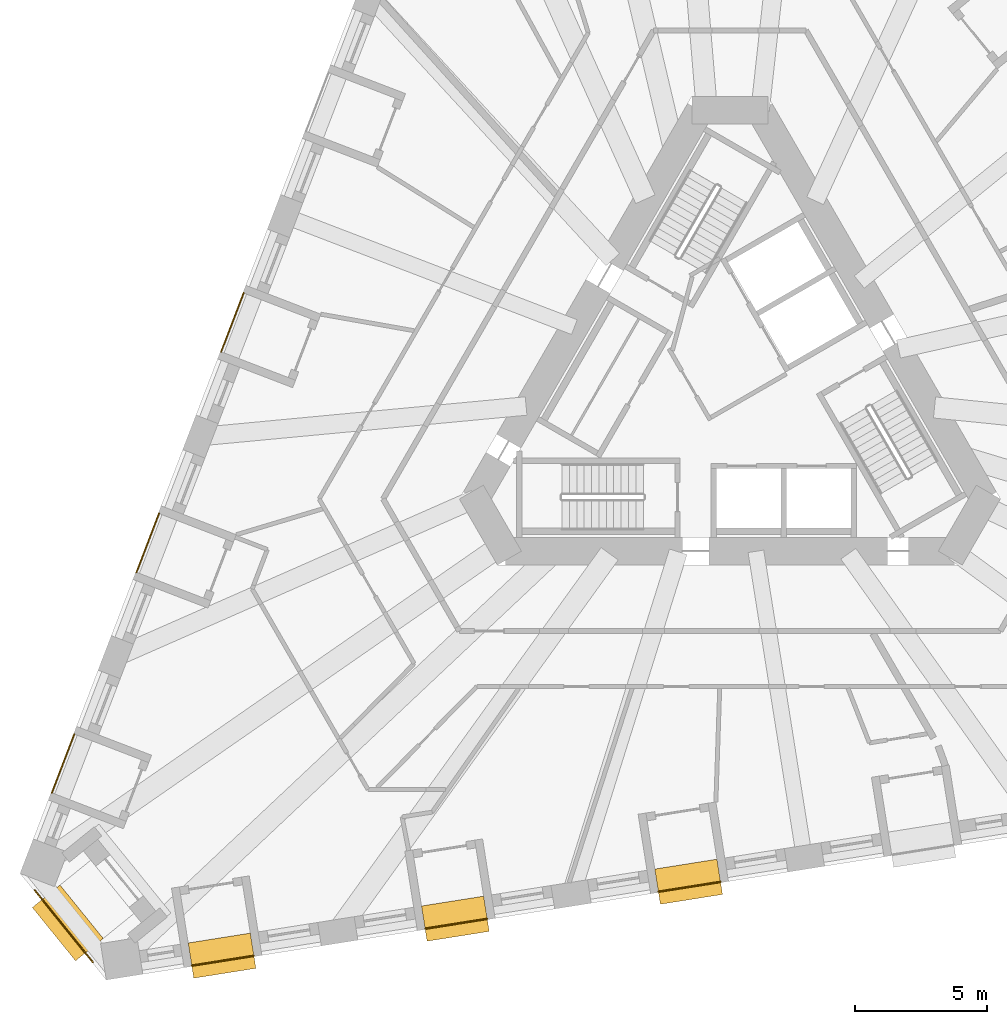
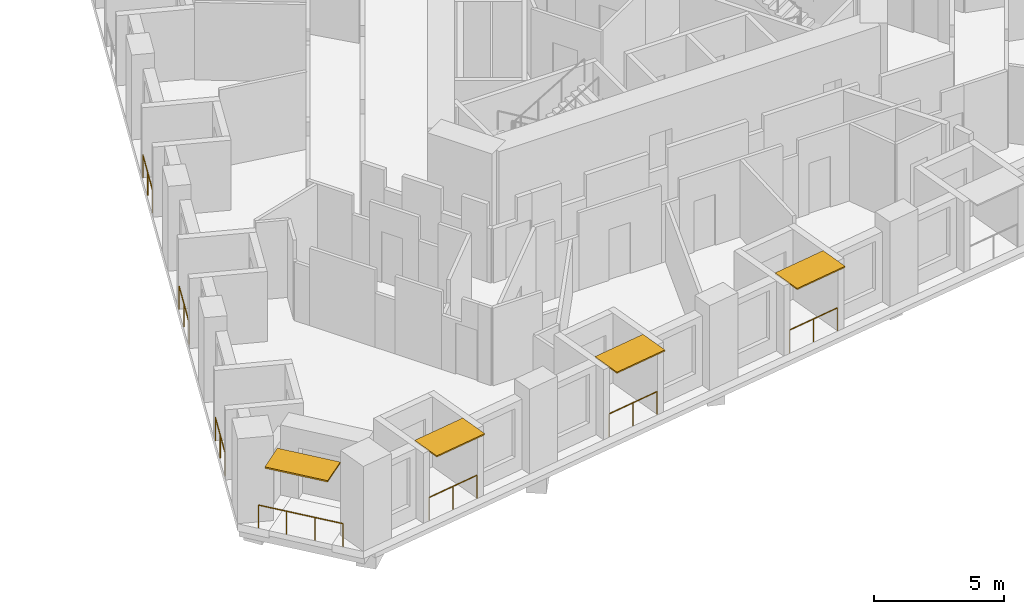
# One storey, part 11 of 14: 7 railings, 4 shading devices.
"""IFC4 building model written with IfcOpenShell, lengths in metres."""

import ifcopenshell
import ifcopenshell.guid

model = None  # the IFC model being written
_history = None  # IfcOwnerHistory: only IFC2X3 demands one
_inside = {}  # id of a spatial element -> (the spatial element, [elements in it])
_under = {}  # id of a project, library or spatial element -> (it, [spatial elements below it])
_declared = {}  # id of a project -> (the project, [libraries it declares])
_typed = {}  # id of a type object -> (the type object, [elements of that type])
_made_of = {}  # id of a material, layer set ... -> (it, [elements and type objects made of it])


def new_model(schema):
    """Start an empty IFC model of exactly this schema.

    Asked for "IFC4X3", IfcOpenShell would pick the latest addendum, in which some entities
    have other attributes; the version numbers below select the first issue.
    IFC2X3 requires an IfcOwnerHistory on every rooted entity: one is made here for all.
    """
    global model, _history
    if schema == "IFC4X3":
        model = ifcopenshell.file(schema_version=(4, 3, 0, 0))
    else:
        model = ifcopenshell.file(schema=schema)
    _inside.clear()
    _under.clear()
    _declared.clear()
    _typed.clear()
    _made_of.clear()
    _history = None
    if model.schema == "IFC2X3":
        org = make("IfcOrganization", Name="unknown")
        user = make(
            "IfcPersonAndOrganization",
            ThePerson=make("IfcPerson", FamilyName="unknown"),
            TheOrganization=org,
        )
        app = make(
            "IfcApplication",
            ApplicationDeveloper=org,
            Version="unknown",
            ApplicationFullName="unknown",
            ApplicationIdentifier="unknown",
        )
        _history = make(
            "IfcOwnerHistory",
            OwningUser=user,
            OwningApplication=app,
            ChangeAction="ADDED",
            CreationDate=0,
        )
    return model


def make(cls, **values):
    """One entity of the class cls with the attributes given. An attribute that is None is left unset."""
    return model.create_entity(
        cls, **{name: value for name, value in values.items() if value is not None}
    )


def rooted(cls, **values):
    """An entity with a GlobalId (a new one), such as an element, a storey or a relation."""
    return make(cls, GlobalId=ifcopenshell.guid.new(), OwnerHistory=_history, **values)


def si_unit(unit_type, name, prefix=None):
    """IfcSIUnit, for example si_unit("LENGTHUNIT", "METRE", prefix="MILLI")."""
    return make("IfcSIUnit", UnitType=unit_type, Prefix=prefix, Name=name)


def assignment(units):
    """IfcUnitAssignment: the units of a project."""
    return None if units is None else make("IfcUnitAssignment", Units=units)


def point(xyz):
    """IfcCartesianPoint."""
    return None if xyz is None else make("IfcCartesianPoint", Coordinates=xyz)


def direction(xyz):
    """IfcDirection."""
    return None if xyz is None else make("IfcDirection", DirectionRatios=xyz)


def frame(location, z_axis=None, x_axis=None):
    """IfcAxis2Placement3D, a coordinate frame: its origin and axes. An axis left out is left unset."""
    return make(
        "IfcAxis2Placement3D",
        Location=point(location),
        Axis=direction(z_axis),
        RefDirection=direction(x_axis),
    )


def frame_2d(location, x_axis=None):
    """IfcAxis2Placement2D, a coordinate frame in the plane: its origin and x axis."""
    return make(
        "IfcAxis2Placement2D", Location=point(location), RefDirection=direction(x_axis)
    )


def origin():
    """The frame at (0, 0, 0) with its axes left unset."""
    return frame((0.0, 0.0, 0.0))


def origin_2d():
    """The frame at (0, 0) in the plane with its x axis left unset."""
    return frame_2d((0.0, 0.0))


def place(relative_to, where):
    """IfcLocalPlacement: puts the frame where relative to a parent placement (None: the world)."""
    return make(
        "IfcLocalPlacement", PlacementRelTo=relative_to, RelativePlacement=where
    )


def context(
    kind, dimensions, precision=None, world=None, true_north=None, identifier=None
):
    """IfcGeometricRepresentationContext, for example the 3D "Model" context."""
    return make(
        "IfcGeometricRepresentationContext",
        ContextIdentifier=identifier,
        ContextType=kind,
        CoordinateSpaceDimension=dimensions,
        Precision=precision,
        WorldCoordinateSystem=world,
        TrueNorth=true_north,
    )


def subcontext(parent, identifier, kind, view, scale=None):
    """IfcGeometricRepresentationSubContext, for example "Body" below "Model"."""
    return make(
        "IfcGeometricRepresentationSubContext",
        ContextIdentifier=identifier,
        ContextType=kind,
        ParentContext=parent,
        TargetScale=scale,
        TargetView=view,
    )


def project(units=None, contexts=None):
    """IfcProject with its units and contexts."""
    return rooted(
        "IfcProject",
        Name="project",
        RepresentationContexts=contexts,
        UnitsInContext=assignment(units),
    )


def spatial(cls, under=None, at=None, **own):
    """A site, building, storey or space (cls), placed at a placement, below another one or the project."""
    s = rooted(cls, ObjectPlacement=at, **own)
    if under is not None:
        _under.setdefault(under.id(), (under, []))[1].append(s)
    return s


def profile(cls, at=None, kind="AREA", **sizes):
    """A parametric profile (cls). Its sizes go by their IFC names, for example OverallWidth=200.0."""
    return make(cls, ProfileType=kind, Position=at, **sizes)


def rectangle(**sizes):
    """IfcRectangleProfileDef."""
    return profile("IfcRectangleProfileDef", **sizes)


def circle(**sizes):
    """IfcCircleProfileDef."""
    return profile("IfcCircleProfileDef", **sizes)


def extrude(swept, where, along, depth):
    """IfcExtrudedAreaSolid: the profile swept, set in the frame where, extruded along a direction by depth."""
    return make(
        "IfcExtrudedAreaSolid",
        SweptArea=swept,
        Position=where,
        ExtrudedDirection=direction(along),
        Depth=depth,
    )


def shape(context_of_items, identifier, shape_type, items):
    """IfcShapeRepresentation: the items that make up one representation, for example the "Body"."""
    return make(
        "IfcShapeRepresentation",
        ContextOfItems=context_of_items,
        RepresentationIdentifier=identifier,
        RepresentationType=shape_type,
        Items=items,
    )


def material(Name=None, Category=None):
    """IfcMaterial."""
    return make("IfcMaterial", Name=Name, Category=Category)


def layer(
    of_material, thickness, ventilated=None, Name=None, Category=None, Priority=None
):
    """IfcMaterialLayer: one layer of a wall or slab, of a material (None: an air gap)."""
    return make(
        "IfcMaterialLayer",
        Material=of_material,
        LayerThickness=thickness,
        IsVentilated=ventilated,
        Name=Name,
        Category=Category,
        Priority=Priority,
    )


def layer_set(layers, Name=None):
    """IfcMaterialLayerSet."""
    return make("IfcMaterialLayerSet", MaterialLayers=layers, LayerSetName=Name)


def made_of(thing, what):
    """Note that an element or type object is made of a material, layer set ...; save() writes the relation."""
    if what is not None:
        _made_of.setdefault(what.id(), (what, []))[1].append(thing)
    return thing


def type_object(cls, material=None, **own):
    """A type object (cls), such as IfcWallType, which elements share."""
    return made_of(rooted(cls, **own), material)


def element(
    cls,
    number,
    at=None,
    inside=None,
    cuts=None,
    type_object=None,
    material=None,
    context=None,
    identifier="Body",
    shape_type=None,
    held_by="IfcProductDefinitionShape",
    body=None,
    shapes=None,
    **own,
):
    """One element of the class cls, such as IfcWall. Its Tag is "e" and its number.

    at: its placement. inside: the storey or other place that contains it. cuts: it is an
    opening in that element (IfcRelVoidsElement). A single representation is given by context,
    identifier, shape_type and body (its items); several are given by shapes. held_by: the class
    of the entity that holds the representations. save() writes the other relations.
    """
    e = rooted(cls, Tag="e%d" % number, ObjectPlacement=at, **own)
    if body is not None:
        shapes = [shape(context, identifier, shape_type, body)]
    if shapes is not None:
        e.Representation = make(held_by, Representations=shapes)
    if inside is not None:
        _inside.setdefault(inside.id(), (inside, []))[1].append(e)
    if cuts is not None:
        rooted(
            "IfcRelVoidsElement", RelatingBuildingElement=cuts, RelatedOpeningElement=e
        )
    if type_object is not None:
        _typed.setdefault(type_object.id(), (type_object, []))[1].append(e)
    return made_of(e, material)


def aggregate(whole, parts):
    """IfcRelAggregates: a whole, such as a stair, and the parts it consists of."""
    return rooted("IfcRelAggregates", RelatingObject=whole, RelatedObjects=parts)


def save(model, path):
    """Write the relations noted so far, then the file.

    IfcRelAggregates (storeys below a building ...), IfcRelContainedInSpatialStructure (elements
    in a storey), IfcRelDefinesByType, IfcRelAssociatesMaterial and IfcRelDeclares: one each for
    every whole, place, type object, material and project.
    """
    for whole, parts in _under.values():
        aggregate(whole, parts)
    for where, things in _inside.values():
        rooted(
            "IfcRelContainedInSpatialStructure",
            RelatedElements=things,
            RelatingStructure=where,
        )
    for kind, things in _typed.values():
        rooted("IfcRelDefinesByType", RelatedObjects=things, RelatingType=kind)
    for what, things in _made_of.values():
        rooted("IfcRelAssociatesMaterial", RelatedObjects=things, RelatingMaterial=what)
    for by, libraries in _declared.values():
        rooted("IfcRelDeclares", RelatingContext=by, RelatedDefinitions=libraries)
    model.write(path)


model = new_model("IFC4")

# Units and contexts
model_context = context("Model", 3, precision=1e-05, world=origin(), true_north=direction((0.0, 1.0)))
body_context = subcontext(model_context, "Body", "Model", "MODEL_VIEW")
ifc_project = project(units=[si_unit("LENGTHUNIT", "METRE"), si_unit("AREAUNIT", "SQUARE_METRE"), si_unit("VOLUMEUNIT", "CUBIC_METRE"), si_unit("PLANEANGLEUNIT", "RADIAN"), si_unit("MASSUNIT", "GRAM", prefix="KILO")], contexts=[model_context])

# Site, building, storey
site_placement = place(None, origin())
site = spatial("IfcSite", under=ifc_project, at=site_placement, CompositionType="ELEMENT")
building_placement = place(site_placement, origin())
building = spatial("IfcBuilding", under=site, at=building_placement, Name="Tramontana Tower", CompositionType="ELEMENT")
storey_placement = place(building_placement, frame((0.0, 0.0, 75.199951171875)))
storey = spatial("IfcBuildingStorey", under=building, at=storey_placement, Name="L16", CompositionType="ELEMENT", Elevation=75.199951171875)

# Railings
ifc_material_1 = material(Name="Laminated glass balustrade", Category="glass")
railing_type = type_object("IfcRailingType", Name="GD1 Loggia glass balustrade 1100", PredefinedType="BALUSTRADE", material=ifc_material_1)
for number, where, name in (
    (1, (-18.419677734375, 3.55419921875, 0.0), "Loggia balustrade L16 G1S0.10"),
    (2, (-21.626708984375, -4.80029296875, 0.0), "Loggia balustrade L16 G1S0.13"),
):
    element("IfcRailing", number, at=place(storey_placement, frame(where)), inside=storey, type_object=railing_type, Name=name, PredefinedType="BALUSTRADE", context=body_context, shape_type="SweptSolid", body=[
        extrude(circle(Radius=0.02392578125, at=origin_2d()), frame((0.0, 0.0, 1.076171875), z_axis=(-0.358354292693, -0.933585668757, 0.0), x_axis=(0.933585668757, -0.358354292693, 0.0)), (0.0, 0.0, 1.0), 2.383056640625),
        extrude(circle(Radius=0.02099609375, at=origin_2d()), origin(), (0.0, 0.0, 1.0), 1.052001953125),
        extrude(circle(Radius=0.02099609375, at=origin_2d()), frame((-0.427001953125, -1.1123046875, 0.0)), (0.0, 0.0, 1.0), 1.052001953125),
        extrude(circle(Radius=0.02099609375, at=origin_2d()), frame((-0.85400390625, -2.224853515625, 0.0)), (0.0, 0.0, 1.0), 1.052001953125),
    ])
railing_1_placement = place(storey_placement, frame((-24.833740234375, -13.155029296875, 0.0)))
element("IfcRailing", 3, at=railing_1_placement, inside=storey, type_object=railing_type, Name="Loggia balustrade L16 G1S0.16", PredefinedType="BALUSTRADE", context=body_context, shape_type="SweptSolid", body=[
    extrude(circle(Radius=0.02392578125, at=origin_2d()), frame((0.0, 0.0, 1.076171875), z_axis=(-0.35838856932, -0.933572511046, 0.0), x_axis=(0.933572511046, -0.35838856932, 0.0)), (0.0, 0.0, 1.0), 2.3828125),
    extrude(circle(Radius=0.02099609375, at=origin_2d()), origin(), (0.0, 0.0, 1.0), 1.052001953125),
    extrude(circle(Radius=0.02099609375, at=origin_2d()), frame((-0.427001953125, -1.1123046875, 0.0)), (0.0, 0.0, 1.0), 1.052001953125),
    extrude(circle(Radius=0.02099609375, at=origin_2d()), frame((-0.85400390625, -2.224609375, 0.0)), (0.0, 0.0, 1.0), 1.052001953125),
])
railing_2_placement = place(storey_placement, frame((-20.38427734375, -21.9287109375, 0.0)))
element("IfcRailing", 4, at=railing_2_placement, inside=storey, type_object=railing_type, Name="Loggia balustrade L16 G1S1.1", PredefinedType="BALUSTRADE", context=body_context, shape_type="SweptSolid", body=[
    extrude(circle(Radius=0.02392578125, at=origin_2d()), frame((0.0, 0.0, 1.076171875), z_axis=(0.987685586014, 0.156451855793, 0.0), x_axis=(-0.156451855793, 0.987685586014, 0.0)), (0.0, 0.0, 1.0), 2.3828125),
    extrude(circle(Radius=0.02099609375, at=origin_2d()), origin(), (0.0, 0.0, 1.0), 1.052001953125),
    extrude(circle(Radius=0.02099609375, at=origin_2d()), frame((1.1767578125, 0.1865234375, 0.0)), (0.0, 0.0, 1.0), 1.052001953125),
    extrude(circle(Radius=0.02099609375, at=origin_2d()), frame((2.353515625, 0.372802734375, 0.0)), (0.0, 0.0, 1.0), 1.052001953125),
])
railing_3_placement = place(storey_placement, frame((-11.545654296875, -20.52880859375, 0.0)))
element("IfcRailing", 5, at=railing_3_placement, inside=storey, type_object=railing_type, Name="Loggia balustrade L16 G1S1.4", PredefinedType="BALUSTRADE", context=body_context, shape_type="SweptSolid", body=[
    extrude(circle(Radius=0.02392578125, at=origin_2d()), frame((0.0, 0.0, 1.076171875), z_axis=(0.987688093492, 0.15643602518, 0.0), x_axis=(-0.15643602518, 0.987688093492, 0.0)), (0.0, 0.0, 1.0), 2.383056640625),
    extrude(circle(Radius=0.02099609375, at=origin_2d()), origin(), (0.0, 0.0, 1.0), 1.052001953125),
    extrude(circle(Radius=0.02099609375, at=origin_2d()), frame((1.1767578125, 0.1865234375, 0.0)), (0.0, 0.0, 1.0), 1.052001953125),
    extrude(circle(Radius=0.02099609375, at=origin_2d()), frame((2.353759765625, 0.372802734375, 0.0)), (0.0, 0.0, 1.0), 1.052001953125),
])
railing_4_placement = place(storey_placement, frame((-2.706787109375, -19.12890625, 0.0)))
element("IfcRailing", 6, at=railing_4_placement, inside=storey, type_object=railing_type, Name="Loggia balustrade L16 G1S1.7", PredefinedType="BALUSTRADE", context=body_context, shape_type="SweptSolid", body=[
    extrude(circle(Radius=0.02392578125, at=origin_2d()), frame((0.0, 0.0, 1.076171875), z_axis=(0.987685586014, 0.156451855793, 0.0), x_axis=(-0.156451855793, 0.987685586014, 0.0)), (0.0, 0.0, 1.0), 2.3828125),
    extrude(circle(Radius=0.02099609375, at=origin_2d()), origin(), (0.0, 0.0, 1.0), 1.052001953125),
    extrude(circle(Radius=0.02099609375, at=origin_2d()), frame((1.1767578125, 0.1865234375, 0.0)), (0.0, 0.0, 1.0), 1.052001953125),
    extrude(circle(Radius=0.02099609375, at=origin_2d()), frame((2.353515625, 0.372802734375, 0.0)), (0.0, 0.0, 1.0), 1.052001953125),
])
railing_5_placement = place(storey_placement, frame((-24.132568359375, -21.7939453125, 0.0)))
element("IfcRailing", 7, at=railing_5_placement, inside=storey, type_object=railing_type, Name="Corner loggia balustrade L16 K11", PredefinedType="BALUSTRADE", context=body_context, shape_type="SweptSolid", body=[
    extrude(circle(Radius=0.02392578125, at=origin_2d()), frame((0.0, 0.0, 1.076171875), z_axis=(-0.629328651904, 0.777139271876, 0.0), x_axis=(-0.777139271876, -0.629328651904, 0.0)), (0.0, 0.0, 1.0), 3.5),
    extrude(circle(Radius=0.02099609375, at=origin_2d()), origin(), (0.0, 0.0, 1.0), 1.052001953125),
    extrude(circle(Radius=0.02099609375, at=origin_2d()), frame((-0.734130859375, 0.90673828125, 0.0)), (0.0, 0.0, 1.0), 1.052001953125),
    extrude(circle(Radius=0.02099609375, at=origin_2d()), frame((-1.468505859375, 1.813232421875, 0.0)), (0.0, 0.0, 1.0), 1.052001953125),
    extrude(circle(Radius=0.02099609375, at=origin_2d()), frame((-2.20263671875, 2.719970703125, 0.0)), (0.0, 0.0, 1.0), 1.052001953125),
])

# Shading devices
ifc_material_2 = material(Name="Precast concrete 60 MPa", Category="concrete")
ifc_layer_1 = layer(ifc_material_2, 0.06005859375)
ifc_layer_set_1 = layer_set([ifc_layer_1], Name="SS1 Stone sunshade blade 60")
shading_device_type_1 = type_object("IfcShadingDeviceType", Name="SS1 Stone sunshade blade 60", PredefinedType="USERDEFINED", material=ifc_layer_set_1)
for number, where, z_axis, x_axis, name in (
    (8, (-19.238037109375, -21.5498046875, 3.239990234375), (0.0, 0.0, 1.0), (0.987688340595, 0.15643446504, 0.0), "Sunshade L16 G1S1.1"),
    (9, (-10.399169921875, -20.14990234375, 3.239990234375), (0.0, 0.0, 1.0), (0.987688340595, 0.15643446504, 0.0), "Sunshade L16 G1S1.4"),
    (10, (-1.560546875, -18.75, 3.239990234375), (0.0, 0.0, 1.0), (0.987688340595, 0.15643446504, 0.0), "Sunshade L16 G1S1.7"),
):
    element("IfcShadingDevice", number, at=place(storey_placement, frame(where, z_axis=z_axis, x_axis=x_axis)), inside=storey, type_object=shading_device_type_1, Name=name, ObjectType="SUNSHADE", PredefinedType="USERDEFINED", context=body_context, shape_type="SweptSolid", body=[
        extrude(rectangle(XDim=2.383056640625, YDim=1.35009765625, at=origin_2d()), origin(), (0.0, 0.0, 1.0), 0.06005859375),
    ])
ifc_material_3 = material(Name="Precast concrete 60 MPa", Category="concrete")
ifc_layer_2 = layer(ifc_material_3, 0.070068359375)
ifc_layer_set_2 = layer_set([ifc_layer_2], Name="SS2 Stone sunshade blade 70")
shading_device_type_2 = type_object("IfcShadingDeviceType", Name="SS2 Stone sunshade blade 70", PredefinedType="USERDEFINED", material=ifc_layer_set_2)
shading_device_placement = place(storey_placement, frame((-25.082275390625, -20.311279296875, 3.22998046875), z_axis=(0.0, 0.0, 1.0), x_axis=(-0.62932039105, 0.777145961457, 0.0)))
element("IfcShadingDevice", 11, at=shading_device_placement, inside=storey, type_object=shading_device_type_2, Name="Corner sunshade L16 K11", ObjectType="SUNSHADE", PredefinedType="USERDEFINED", context=body_context, shape_type="SweptSolid", body=[
    extrude(rectangle(XDim=2.60009765625, YDim=1.35009765625, at=origin_2d()), origin(), (0.0, 0.0, 1.0), 0.070068359375),
])

save(model, "model.ifc")
